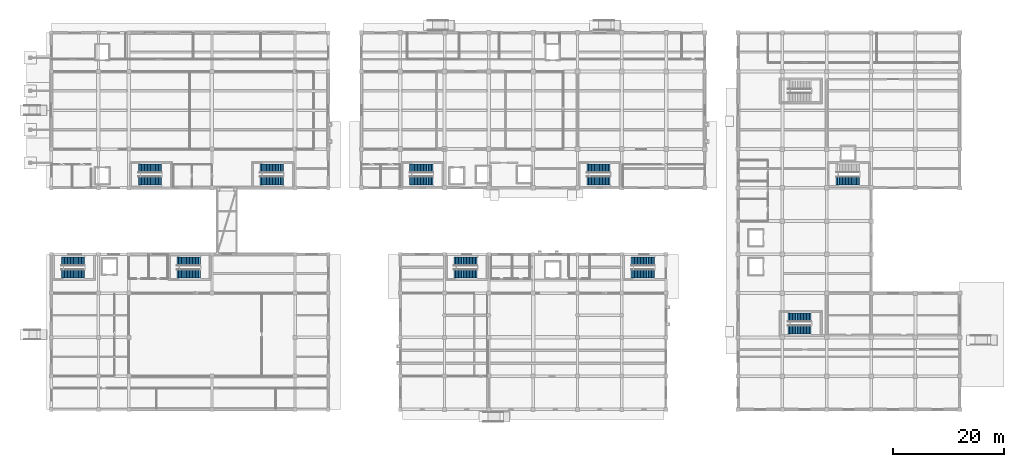
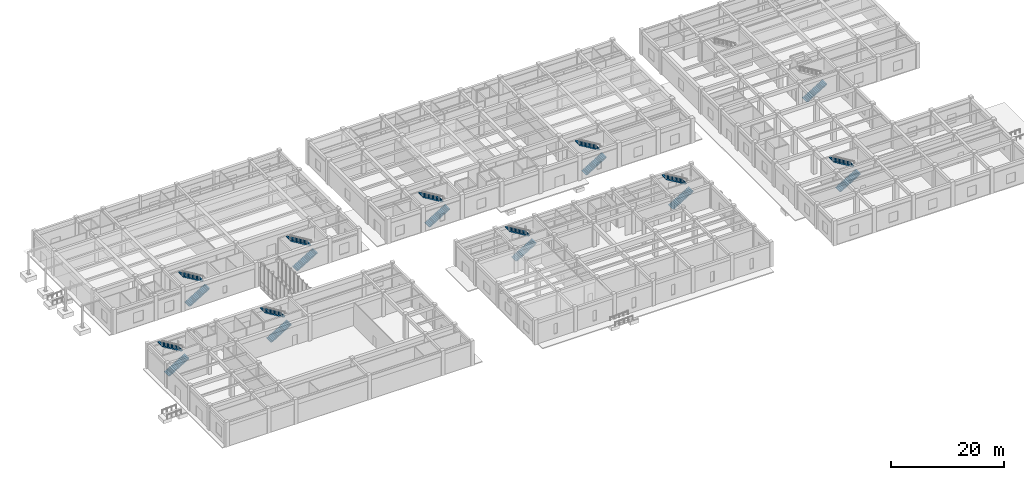
# One storey, part 30 of 40: 19 stair flights, 10 elements without a shape of their own.
"""IFC4 building model written with IfcOpenShell, lengths in metres."""

from ifc_helpers import new_model, si_unit, direction, frame, origin, place, context, subcontext, project, spatial, polyline, outline, extrude, material, type_object, element, aggregate, save


model = new_model("IFC4")

# Units and contexts
model_context = context("Model", 3, precision=1e-05, world=origin(), true_north=direction((0.0, 1.0)))
body_context = subcontext(model_context, "Body", "Model", "MODEL_VIEW")
ifc_project = project(units=[si_unit("LENGTHUNIT", "METRE"), si_unit("AREAUNIT", "SQUARE_METRE"), si_unit("VOLUMEUNIT", "CUBIC_METRE"), si_unit("PLANEANGLEUNIT", "RADIAN"), si_unit("MASSUNIT", "GRAM", prefix="KILO")], contexts=[model_context])

# Site, building, storey
site_placement = place(None, origin())
site = spatial("IfcSite", under=ifc_project, at=site_placement, CompositionType="ELEMENT")
building_placement = place(site_placement, origin())
building = spatial("IfcBuilding", under=site, at=building_placement, Name="Naurynzar Civic Courthouse", CompositionType="ELEMENT")
storey_placement = place(building_placement, origin())
storey = spatial("IfcBuildingStorey", under=building, at=storey_placement, Name="L01", CompositionType="ELEMENT", Elevation=0.0)

# Stair, stair flight
ifc_material_1 = material(Name="Concrete C35/45", Category="concrete")
stair_type_1 = type_object("IfcStairType", Name="STAIR-CUS-1550", PredefinedType="TWO_STRAIGHT_RUN_STAIR", material=ifc_material_1)
stair_1_placement = place(storey_placement, origin())
stair_1 = element("IfcStair", 1, at=stair_1_placement, inside=storey, type_object=stair_type_1, Name="Enclosed escape stair ST-CUS L01", PredefinedType="TWO_STRAIGHT_RUN_STAIR")
ifc_material_2 = material(Name="Concrete C35/45", Category="concrete")
stair_flight_type_1 = type_object("IfcStairFlightType", Name="FLIGHT-RC-1550", PredefinedType="STRAIGHT", material=ifc_material_2)
stair_flight_1_placement = place(storey_placement, frame((147.699951171875, 45.2548828125, 0.0), z_axis=(0.0, 0.0, 1.0), x_axis=(1.0, 0.0, 0.0)))
stair_flight_1 = element("IfcStairFlight", 2, at=stair_flight_1_placement, type_object=stair_flight_type_1, Name="ST-CUS-L01 flight 1", NumberOfRisers=16, NumberOfTreads=15, PredefinedType="STRAIGHT", RiserHeight=0.16875, TreadLength=0.28, context=body_context, shape_type="SweptSolid", body=[
    extrude(outline(polyline([(0.0, 0.0), (0.0, 0.168701171875), (0.280029296875, 0.168701171875), (0.280029296875, 0.33740234375), (0.56005859375, 0.33740234375), (0.56005859375, 0.50634765625), (0.840087890625, 0.50634765625), (0.840087890625, 0.675048828125), (1.1201171875, 0.675048828125), (1.1201171875, 0.84375), (1.39990234375, 0.84375), (1.39990234375, 1.012451171875), (1.679931640625, 1.012451171875), (1.679931640625, 1.18115234375), (1.9599609375, 1.18115234375), (1.9599609375, 1.35009765625), (2.239990234375, 1.35009765625), (2.239990234375, 1.518798828125), (2.52001953125, 1.518798828125), (2.52001953125, 1.6875), (2.800048828125, 1.6875), (2.800048828125, 1.856201171875), (3.080078125, 1.856201171875), (3.080078125, 2.02490234375), (3.360107421875, 2.02490234375), (3.360107421875, 2.19384765625), (3.639892578125, 2.19384765625), (3.639892578125, 2.362548828125), (3.919921875, 2.362548828125), (3.919921875, 2.53125), (4.199951171875, 2.53125), (4.199951171875, 2.699951171875), (4.199951171875, 2.3212890625), (0.3486328125, 0.0), (0.0, 0.0)])), frame((0.0, 0.77490234375, 0.0), z_axis=(0.0, -1.0, 0.0), x_axis=(1.0, 0.0, 0.0)), (0.0, 0.0, 1.0), 1.550048828125),
])
aggregate(stair_1, [stair_flight_1])

# Stair, stair flights
ifc_material_3 = material(Name="Concrete C35/45", Category="concrete")
stair_type_2 = type_object("IfcStairType", Name="STAIR-CORE-1600", PredefinedType="TWO_STRAIGHT_RUN_STAIR", material=ifc_material_3)
stair_2_placement = place(storey_placement, origin())
stair_2 = element("IfcStair", 3, at=stair_2_placement, inside=storey, type_object=stair_type_2, Name="Enclosed escape stair ST-V1A L01", PredefinedType="TWO_STRAIGHT_RUN_STAIR")
ifc_material_4 = material(Name="Concrete C35/45", Category="concrete")
stair_flight_type_2 = type_object("IfcStairFlightType", Name="FLIGHT-RC-1600", PredefinedType="STRAIGHT", material=ifc_material_4)
stair_flight_2_placement = place(storey_placement, frame((21.699951171875, 45.280029296875, 0.0), z_axis=(0.0, 0.0, 1.0), x_axis=(1.0, 0.0, 0.0)))
stair_flight_2 = element("IfcStairFlight", 4, at=stair_flight_2_placement, type_object=stair_flight_type_2, Name="ST-V1A-L01 flight 1", NumberOfRisers=16, NumberOfTreads=15, PredefinedType="STRAIGHT", RiserHeight=0.16875, TreadLength=0.28, context=body_context, shape_type="SweptSolid", body=[
    extrude(outline(polyline([(0.0, 0.0), (0.0, 0.168701171875), (0.280029296875, 0.168701171875), (0.280029296875, 0.33740234375), (0.56005859375, 0.33740234375), (0.56005859375, 0.50634765625), (0.840087890625, 0.50634765625), (0.840087890625, 0.675048828125), (1.1201171875, 0.675048828125), (1.1201171875, 0.84375), (1.39990234375, 0.84375), (1.39990234375, 1.012451171875), (1.679931640625, 1.012451171875), (1.679931640625, 1.18115234375), (1.9599609375, 1.18115234375), (1.9599609375, 1.35009765625), (2.239990234375, 1.35009765625), (2.239990234375, 1.518798828125), (2.52001953125, 1.518798828125), (2.52001953125, 1.6875), (2.800048828125, 1.6875), (2.800048828125, 1.856201171875), (3.080078125, 1.856201171875), (3.080078125, 2.02490234375), (3.360107421875, 2.02490234375), (3.360107421875, 2.19384765625), (3.639892578125, 2.19384765625), (3.639892578125, 2.362548828125), (3.919921875, 2.362548828125), (3.919921875, 2.53125), (4.199951171875, 2.53125), (4.199951171875, 2.699951171875), (4.199951171875, 2.3212890625), (0.3486328125, 0.0), (0.0, 0.0)])), frame((0.0, 0.800048828125, 0.0), z_axis=(0.0, -1.0, 0.0), x_axis=(1.0, 0.0, 0.0)), (0.0, 0.0, 1.0), 1.60009765625),
])
stair_flight_3_placement = place(storey_placement, frame((25.89990234375, 47.52001953125, 2.699951171875), z_axis=(0.0, 0.0, 1.0), x_axis=(-1.0, 0.0, 0.0)))
stair_flight_3 = element("IfcStairFlight", 5, at=stair_flight_3_placement, type_object=stair_flight_type_2, Name="ST-V1A-L01 flight 2", NumberOfRisers=16, NumberOfTreads=15, PredefinedType="STRAIGHT", RiserHeight=0.16875, TreadLength=0.28, context=body_context, shape_type="SweptSolid", body=[
    extrude(outline(polyline([(0.0, 0.0), (0.0, 0.168701171875), (0.280029296875, 0.168701171875), (0.280029296875, 0.33740234375), (0.56005859375, 0.33740234375), (0.56005859375, 0.50634765625), (0.840087890625, 0.50634765625), (0.840087890625, 0.675048828125), (1.1201171875, 0.675048828125), (1.1201171875, 0.84375), (1.39990234375, 0.84375), (1.39990234375, 1.012451171875), (1.679931640625, 1.012451171875), (1.679931640625, 1.18115234375), (1.9599609375, 1.18115234375), (1.9599609375, 1.35009765625), (2.239990234375, 1.35009765625), (2.239990234375, 1.518798828125), (2.52001953125, 1.518798828125), (2.52001953125, 1.6875), (2.800048828125, 1.6875), (2.800048828125, 1.856201171875), (3.080078125, 1.856201171875), (3.080078125, 2.02490234375), (3.360107421875, 2.02490234375), (3.360107421875, 2.19384765625), (3.639892578125, 2.19384765625), (3.639892578125, 2.362548828125), (3.919921875, 2.362548828125), (3.919921875, 2.53125), (4.199951171875, 2.53125), (4.199951171875, 2.699951171875), (4.199951171875, 2.3212890625), (0.3486328125, 0.0), (0.0, 0.0)])), frame((0.0, 0.800048828125, 0.0), z_axis=(0.0, -1.0, 0.0), x_axis=(1.0, 0.0, 0.0)), (0.0, 0.0, 1.0), 1.60009765625),
])
aggregate(stair_2, [stair_flight_2, stair_flight_3])

stair_3_placement = place(storey_placement, origin())
stair_3 = element("IfcStair", 6, at=stair_3_placement, inside=storey, type_object=stair_type_2, Name="Enclosed escape stair ST-V1B L01", PredefinedType="TWO_STRAIGHT_RUN_STAIR")
stair_flight_4_placement = place(storey_placement, frame((43.699951171875, 45.280029296875, 0.0), z_axis=(0.0, 0.0, 1.0), x_axis=(1.0, 0.0, 0.0)))
stair_flight_4 = element("IfcStairFlight", 7, at=stair_flight_4_placement, type_object=stair_flight_type_2, Name="ST-V1B-L01 flight 1", NumberOfRisers=16, NumberOfTreads=15, PredefinedType="STRAIGHT", RiserHeight=0.16875, TreadLength=0.28, context=body_context, shape_type="SweptSolid", body=[
    extrude(outline(polyline([(0.0, 0.0), (0.0, 0.168701171875), (0.280029296875, 0.168701171875), (0.280029296875, 0.33740234375), (0.56005859375, 0.33740234375), (0.56005859375, 0.50634765625), (0.840087890625, 0.50634765625), (0.840087890625, 0.675048828125), (1.1201171875, 0.675048828125), (1.1201171875, 0.84375), (1.39990234375, 0.84375), (1.39990234375, 1.012451171875), (1.679931640625, 1.012451171875), (1.679931640625, 1.18115234375), (1.9599609375, 1.18115234375), (1.9599609375, 1.35009765625), (2.239990234375, 1.35009765625), (2.239990234375, 1.518798828125), (2.52001953125, 1.518798828125), (2.52001953125, 1.6875), (2.800048828125, 1.6875), (2.800048828125, 1.856201171875), (3.080078125, 1.856201171875), (3.080078125, 2.02490234375), (3.360107421875, 2.02490234375), (3.360107421875, 2.19384765625), (3.639892578125, 2.19384765625), (3.639892578125, 2.362548828125), (3.919921875, 2.362548828125), (3.919921875, 2.53125), (4.199951171875, 2.53125), (4.199951171875, 2.699951171875), (4.199951171875, 2.3212890625), (0.3486328125, 0.0), (0.0, 0.0)])), frame((0.0, 0.800048828125, 0.0), z_axis=(0.0, -1.0, 0.0), x_axis=(1.0, 0.0, 0.0)), (0.0, 0.0, 1.0), 1.60009765625),
])
stair_flight_5_placement = place(storey_placement, frame((47.89990234375, 47.52001953125, 2.699951171875), z_axis=(0.0, 0.0, 1.0), x_axis=(-1.0, 0.0, 0.0)))
stair_flight_5 = element("IfcStairFlight", 8, at=stair_flight_5_placement, type_object=stair_flight_type_2, Name="ST-V1B-L01 flight 2", NumberOfRisers=16, NumberOfTreads=15, PredefinedType="STRAIGHT", RiserHeight=0.16875, TreadLength=0.28, context=body_context, shape_type="SweptSolid", body=[
    extrude(outline(polyline([(0.0, 0.0), (0.0, 0.168701171875), (0.280029296875, 0.168701171875), (0.280029296875, 0.33740234375), (0.56005859375, 0.33740234375), (0.56005859375, 0.50634765625), (0.840087890625, 0.50634765625), (0.840087890625, 0.675048828125), (1.1201171875, 0.675048828125), (1.1201171875, 0.84375), (1.39990234375, 0.84375), (1.39990234375, 1.012451171875), (1.679931640625, 1.012451171875), (1.679931640625, 1.18115234375), (1.9599609375, 1.18115234375), (1.9599609375, 1.35009765625), (2.239990234375, 1.35009765625), (2.239990234375, 1.518798828125), (2.52001953125, 1.518798828125), (2.52001953125, 1.6875), (2.800048828125, 1.6875), (2.800048828125, 1.856201171875), (3.080078125, 1.856201171875), (3.080078125, 2.02490234375), (3.360107421875, 2.02490234375), (3.360107421875, 2.19384765625), (3.639892578125, 2.19384765625), (3.639892578125, 2.362548828125), (3.919921875, 2.362548828125), (3.919921875, 2.53125), (4.199951171875, 2.53125), (4.199951171875, 2.699951171875), (4.199951171875, 2.3212890625), (0.3486328125, 0.0), (0.0, 0.0)])), frame((0.0, 0.800048828125, 0.0), z_axis=(0.0, -1.0, 0.0), x_axis=(1.0, 0.0, 0.0)), (0.0, 0.0, 1.0), 1.60009765625),
])
aggregate(stair_3, [stair_flight_4, stair_flight_5])

stair_4_placement = place(storey_placement, origin())
stair_4 = element("IfcStair", 9, at=stair_4_placement, inside=storey, type_object=stair_type_2, Name="Enclosed escape stair ST-V4A L01", PredefinedType="TWO_STRAIGHT_RUN_STAIR")
stair_flight_6_placement = place(storey_placement, frame((7.800048828125, 28.47998046875, 0.0), z_axis=(0.0, 0.0, 1.0), x_axis=(1.0, 0.0, 0.0)))
stair_flight_6 = element("IfcStairFlight", 10, at=stair_flight_6_placement, type_object=stair_flight_type_2, Name="ST-V4A-L01 flight 1", NumberOfRisers=16, NumberOfTreads=15, PredefinedType="STRAIGHT", RiserHeight=0.16875, TreadLength=0.28, context=body_context, shape_type="SweptSolid", body=[
    extrude(outline(polyline([(0.0, 0.0), (0.0, 0.168701171875), (0.280029296875, 0.168701171875), (0.280029296875, 0.33740234375), (0.56005859375, 0.33740234375), (0.56005859375, 0.50634765625), (0.840087890625, 0.50634765625), (0.840087890625, 0.675048828125), (1.1201171875, 0.675048828125), (1.1201171875, 0.84375), (1.39990234375, 0.84375), (1.39990234375, 1.012451171875), (1.679931640625, 1.012451171875), (1.679931640625, 1.18115234375), (1.9599609375, 1.18115234375), (1.9599609375, 1.35009765625), (2.239990234375, 1.35009765625), (2.239990234375, 1.518798828125), (2.52001953125, 1.518798828125), (2.52001953125, 1.6875), (2.800048828125, 1.6875), (2.800048828125, 1.856201171875), (3.080078125, 1.856201171875), (3.080078125, 2.02490234375), (3.360107421875, 2.02490234375), (3.360107421875, 2.19384765625), (3.639892578125, 2.19384765625), (3.639892578125, 2.362548828125), (3.919921875, 2.362548828125), (3.919921875, 2.53125), (4.199951171875, 2.53125), (4.199951171875, 2.699951171875), (4.199951171875, 2.3212890625), (0.3486328125, 0.0), (0.0, 0.0)])), frame((0.0, 0.800048828125, 0.0), z_axis=(0.0, -1.0, 0.0), x_axis=(1.0, 0.0, 0.0)), (0.0, 0.0, 1.0), 1.60009765625),
])
stair_flight_7_placement = place(storey_placement, frame((12.0, 30.719970703125, 2.699951171875), z_axis=(0.0, 0.0, 1.0), x_axis=(-1.0, 0.0, 0.0)))
stair_flight_7 = element("IfcStairFlight", 11, at=stair_flight_7_placement, type_object=stair_flight_type_2, Name="ST-V4A-L01 flight 2", NumberOfRisers=16, NumberOfTreads=15, PredefinedType="STRAIGHT", RiserHeight=0.16875, TreadLength=0.28, context=body_context, shape_type="SweptSolid", body=[
    extrude(outline(polyline([(0.0, 0.0), (0.0, 0.168701171875), (0.280029296875, 0.168701171875), (0.280029296875, 0.33740234375), (0.56005859375, 0.33740234375), (0.56005859375, 0.50634765625), (0.840087890625, 0.50634765625), (0.840087890625, 0.675048828125), (1.1201171875, 0.675048828125), (1.1201171875, 0.84375), (1.39990234375, 0.84375), (1.39990234375, 1.012451171875), (1.679931640625, 1.012451171875), (1.679931640625, 1.18115234375), (1.9599609375, 1.18115234375), (1.9599609375, 1.35009765625), (2.239990234375, 1.35009765625), (2.239990234375, 1.518798828125), (2.52001953125, 1.518798828125), (2.52001953125, 1.6875), (2.800048828125, 1.6875), (2.800048828125, 1.856201171875), (3.080078125, 1.856201171875), (3.080078125, 2.02490234375), (3.360107421875, 2.02490234375), (3.360107421875, 2.19384765625), (3.639892578125, 2.19384765625), (3.639892578125, 2.362548828125), (3.919921875, 2.362548828125), (3.919921875, 2.53125), (4.199951171875, 2.53125), (4.199951171875, 2.699951171875), (4.199951171875, 2.3212890625), (0.3486328125, 0.0), (0.0, 0.0)])), frame((0.0, 0.800048828125, 0.0), z_axis=(0.0, -1.0, 0.0), x_axis=(1.0, 0.0, 0.0)), (0.0, 0.0, 1.0), 1.60009765625),
])
aggregate(stair_4, [stair_flight_6, stair_flight_7])

stair_5_placement = place(storey_placement, origin())
stair_5 = element("IfcStair", 12, at=stair_5_placement, inside=storey, type_object=stair_type_2, Name="Enclosed escape stair ST-V4B L01", PredefinedType="TWO_STRAIGHT_RUN_STAIR")
stair_flight_8_placement = place(storey_placement, frame((28.699951171875, 28.47998046875, 0.0), z_axis=(0.0, 0.0, 1.0), x_axis=(1.0, 0.0, 0.0)))
stair_flight_8 = element("IfcStairFlight", 13, at=stair_flight_8_placement, type_object=stair_flight_type_2, Name="ST-V4B-L01 flight 1", NumberOfRisers=16, NumberOfTreads=15, PredefinedType="STRAIGHT", RiserHeight=0.16875, TreadLength=0.28, context=body_context, shape_type="SweptSolid", body=[
    extrude(outline(polyline([(0.0, 0.0), (0.0, 0.168701171875), (0.280029296875, 0.168701171875), (0.280029296875, 0.33740234375), (0.56005859375, 0.33740234375), (0.56005859375, 0.50634765625), (0.840087890625, 0.50634765625), (0.840087890625, 0.675048828125), (1.1201171875, 0.675048828125), (1.1201171875, 0.84375), (1.39990234375, 0.84375), (1.39990234375, 1.012451171875), (1.679931640625, 1.012451171875), (1.679931640625, 1.18115234375), (1.9599609375, 1.18115234375), (1.9599609375, 1.35009765625), (2.239990234375, 1.35009765625), (2.239990234375, 1.518798828125), (2.52001953125, 1.518798828125), (2.52001953125, 1.6875), (2.800048828125, 1.6875), (2.800048828125, 1.856201171875), (3.080078125, 1.856201171875), (3.080078125, 2.02490234375), (3.360107421875, 2.02490234375), (3.360107421875, 2.19384765625), (3.639892578125, 2.19384765625), (3.639892578125, 2.362548828125), (3.919921875, 2.362548828125), (3.919921875, 2.53125), (4.199951171875, 2.53125), (4.199951171875, 2.699951171875), (4.199951171875, 2.3212890625), (0.3486328125, 0.0), (0.0, 0.0)])), frame((0.0, 0.800048828125, 0.0), z_axis=(0.0, -1.0, 0.0), x_axis=(1.0, 0.0, 0.0)), (0.0, 0.0, 1.0), 1.60009765625),
])
stair_flight_9_placement = place(storey_placement, frame((32.89990234375, 30.719970703125, 2.699951171875), z_axis=(0.0, 0.0, 1.0), x_axis=(-1.0, 0.0, 0.0)))
stair_flight_9 = element("IfcStairFlight", 14, at=stair_flight_9_placement, type_object=stair_flight_type_2, Name="ST-V4B-L01 flight 2", NumberOfRisers=16, NumberOfTreads=15, PredefinedType="STRAIGHT", RiserHeight=0.16875, TreadLength=0.28, context=body_context, shape_type="SweptSolid", body=[
    extrude(outline(polyline([(0.0, 0.0), (0.0, 0.168701171875), (0.280029296875, 0.168701171875), (0.280029296875, 0.33740234375), (0.56005859375, 0.33740234375), (0.56005859375, 0.50634765625), (0.840087890625, 0.50634765625), (0.840087890625, 0.675048828125), (1.1201171875, 0.675048828125), (1.1201171875, 0.84375), (1.39990234375, 0.84375), (1.39990234375, 1.012451171875), (1.679931640625, 1.012451171875), (1.679931640625, 1.18115234375), (1.9599609375, 1.18115234375), (1.9599609375, 1.35009765625), (2.239990234375, 1.35009765625), (2.239990234375, 1.518798828125), (2.52001953125, 1.518798828125), (2.52001953125, 1.6875), (2.800048828125, 1.6875), (2.800048828125, 1.856201171875), (3.080078125, 1.856201171875), (3.080078125, 2.02490234375), (3.360107421875, 2.02490234375), (3.360107421875, 2.19384765625), (3.639892578125, 2.19384765625), (3.639892578125, 2.362548828125), (3.919921875, 2.362548828125), (3.919921875, 2.53125), (4.199951171875, 2.53125), (4.199951171875, 2.699951171875), (4.199951171875, 2.3212890625), (0.3486328125, 0.0), (0.0, 0.0)])), frame((0.0, 0.800048828125, 0.0), z_axis=(0.0, -1.0, 0.0), x_axis=(1.0, 0.0, 0.0)), (0.0, 0.0, 1.0), 1.60009765625),
])
aggregate(stair_5, [stair_flight_8, stair_flight_9])

stair_6_placement = place(storey_placement, origin())
stair_6 = element("IfcStair", 15, at=stair_6_placement, inside=storey, type_object=stair_type_2, Name="Enclosed escape stair ST-V2A L01", PredefinedType="TWO_STRAIGHT_RUN_STAIR")
stair_flight_10_placement = place(storey_placement, frame((70.699951171875, 45.280029296875, 0.0), z_axis=(0.0, 0.0, 1.0), x_axis=(1.0, 0.0, 0.0)))
stair_flight_10 = element("IfcStairFlight", 16, at=stair_flight_10_placement, type_object=stair_flight_type_2, Name="ST-V2A-L01 flight 1", NumberOfRisers=16, NumberOfTreads=15, PredefinedType="STRAIGHT", RiserHeight=0.16875, TreadLength=0.28, context=body_context, shape_type="SweptSolid", body=[
    extrude(outline(polyline([(0.0, 0.0), (0.0, 0.168701171875), (0.280029296875, 0.168701171875), (0.280029296875, 0.33740234375), (0.56005859375, 0.33740234375), (0.56005859375, 0.50634765625), (0.840087890625, 0.50634765625), (0.840087890625, 0.675048828125), (1.1201171875, 0.675048828125), (1.1201171875, 0.84375), (1.39990234375, 0.84375), (1.39990234375, 1.012451171875), (1.679931640625, 1.012451171875), (1.679931640625, 1.18115234375), (1.9599609375, 1.18115234375), (1.9599609375, 1.35009765625), (2.239990234375, 1.35009765625), (2.239990234375, 1.518798828125), (2.52001953125, 1.518798828125), (2.52001953125, 1.6875), (2.800048828125, 1.6875), (2.800048828125, 1.856201171875), (3.080078125, 1.856201171875), (3.080078125, 2.02490234375), (3.360107421875, 2.02490234375), (3.360107421875, 2.19384765625), (3.639892578125, 2.19384765625), (3.639892578125, 2.362548828125), (3.919921875, 2.362548828125), (3.919921875, 2.53125), (4.199951171875, 2.53125), (4.199951171875, 2.699951171875), (4.199951171875, 2.3212890625), (0.3486328125, 0.0), (0.0, 0.0)])), frame((0.0, 0.800048828125, 0.0), z_axis=(0.0, -1.0, 0.0), x_axis=(1.0, 0.0, 0.0)), (0.0, 0.0, 1.0), 1.60009765625),
])
stair_flight_11_placement = place(storey_placement, frame((74.89990234375, 47.52001953125, 2.699951171875), z_axis=(0.0, 0.0, 1.0), x_axis=(-1.0, 0.0, 0.0)))
stair_flight_11 = element("IfcStairFlight", 17, at=stair_flight_11_placement, type_object=stair_flight_type_2, Name="ST-V2A-L01 flight 2", NumberOfRisers=16, NumberOfTreads=15, PredefinedType="STRAIGHT", RiserHeight=0.16875, TreadLength=0.28, context=body_context, shape_type="SweptSolid", body=[
    extrude(outline(polyline([(0.0, 0.0), (0.0, 0.168701171875), (0.280029296875, 0.168701171875), (0.280029296875, 0.33740234375), (0.56005859375, 0.33740234375), (0.56005859375, 0.50634765625), (0.840087890625, 0.50634765625), (0.840087890625, 0.675048828125), (1.1201171875, 0.675048828125), (1.1201171875, 0.84375), (1.39990234375, 0.84375), (1.39990234375, 1.012451171875), (1.679931640625, 1.012451171875), (1.679931640625, 1.18115234375), (1.9599609375, 1.18115234375), (1.9599609375, 1.35009765625), (2.239990234375, 1.35009765625), (2.239990234375, 1.518798828125), (2.52001953125, 1.518798828125), (2.52001953125, 1.6875), (2.800048828125, 1.6875), (2.800048828125, 1.856201171875), (3.080078125, 1.856201171875), (3.080078125, 2.02490234375), (3.360107421875, 2.02490234375), (3.360107421875, 2.19384765625), (3.639892578125, 2.19384765625), (3.639892578125, 2.362548828125), (3.919921875, 2.362548828125), (3.919921875, 2.53125), (4.199951171875, 2.53125), (4.199951171875, 2.699951171875), (4.199951171875, 2.3212890625), (0.3486328125, 0.0), (0.0, 0.0)])), frame((0.0, 0.800048828125, 0.0), z_axis=(0.0, -1.0, 0.0), x_axis=(1.0, 0.0, 0.0)), (0.0, 0.0, 1.0), 1.60009765625),
])
aggregate(stair_6, [stair_flight_10, stair_flight_11])

stair_7_placement = place(storey_placement, origin())
stair_7 = element("IfcStair", 18, at=stair_7_placement, inside=storey, type_object=stair_type_2, Name="Enclosed escape stair ST-V2B L01", PredefinedType="TWO_STRAIGHT_RUN_STAIR")
stair_flight_12_placement = place(storey_placement, frame((102.699951171875, 45.280029296875, 0.0), z_axis=(0.0, 0.0, 1.0), x_axis=(1.0, 0.0, 0.0)))
stair_flight_12 = element("IfcStairFlight", 19, at=stair_flight_12_placement, type_object=stair_flight_type_2, Name="ST-V2B-L01 flight 1", NumberOfRisers=16, NumberOfTreads=15, PredefinedType="STRAIGHT", RiserHeight=0.16875, TreadLength=0.28, context=body_context, shape_type="SweptSolid", body=[
    extrude(outline(polyline([(0.0, 0.0), (0.0, 0.168701171875), (0.280029296875, 0.168701171875), (0.280029296875, 0.33740234375), (0.56005859375, 0.33740234375), (0.56005859375, 0.50634765625), (0.840087890625, 0.50634765625), (0.840087890625, 0.675048828125), (1.1201171875, 0.675048828125), (1.1201171875, 0.84375), (1.39990234375, 0.84375), (1.39990234375, 1.012451171875), (1.679931640625, 1.012451171875), (1.679931640625, 1.18115234375), (1.9599609375, 1.18115234375), (1.9599609375, 1.35009765625), (2.239990234375, 1.35009765625), (2.239990234375, 1.518798828125), (2.52001953125, 1.518798828125), (2.52001953125, 1.6875), (2.800048828125, 1.6875), (2.800048828125, 1.856201171875), (3.080078125, 1.856201171875), (3.080078125, 2.02490234375), (3.360107421875, 2.02490234375), (3.360107421875, 2.19384765625), (3.639892578125, 2.19384765625), (3.639892578125, 2.362548828125), (3.919921875, 2.362548828125), (3.919921875, 2.53125), (4.199951171875, 2.53125), (4.199951171875, 2.699951171875), (4.199951171875, 2.3212890625), (0.3486328125, 0.0), (0.0, 0.0)])), frame((0.0, 0.800048828125, 0.0), z_axis=(0.0, -1.0, 0.0), x_axis=(1.0, 0.0, 0.0)), (0.0, 0.0, 1.0), 1.60009765625),
])
stair_flight_13_placement = place(storey_placement, frame((106.89990234375, 47.52001953125, 2.699951171875), z_axis=(0.0, 0.0, 1.0), x_axis=(-1.0, 0.0, 0.0)))
stair_flight_13 = element("IfcStairFlight", 20, at=stair_flight_13_placement, type_object=stair_flight_type_2, Name="ST-V2B-L01 flight 2", NumberOfRisers=16, NumberOfTreads=15, PredefinedType="STRAIGHT", RiserHeight=0.16875, TreadLength=0.28, context=body_context, shape_type="SweptSolid", body=[
    extrude(outline(polyline([(0.0, 0.0), (0.0, 0.168701171875), (0.280029296875, 0.168701171875), (0.280029296875, 0.33740234375), (0.56005859375, 0.33740234375), (0.56005859375, 0.50634765625), (0.840087890625, 0.50634765625), (0.840087890625, 0.675048828125), (1.1201171875, 0.675048828125), (1.1201171875, 0.84375), (1.39990234375, 0.84375), (1.39990234375, 1.012451171875), (1.679931640625, 1.012451171875), (1.679931640625, 1.18115234375), (1.9599609375, 1.18115234375), (1.9599609375, 1.35009765625), (2.239990234375, 1.35009765625), (2.239990234375, 1.518798828125), (2.52001953125, 1.518798828125), (2.52001953125, 1.6875), (2.800048828125, 1.6875), (2.800048828125, 1.856201171875), (3.080078125, 1.856201171875), (3.080078125, 2.02490234375), (3.360107421875, 2.02490234375), (3.360107421875, 2.19384765625), (3.639892578125, 2.19384765625), (3.639892578125, 2.362548828125), (3.919921875, 2.362548828125), (3.919921875, 2.53125), (4.199951171875, 2.53125), (4.199951171875, 2.699951171875), (4.199951171875, 2.3212890625), (0.3486328125, 0.0), (0.0, 0.0)])), frame((0.0, 0.800048828125, 0.0), z_axis=(0.0, -1.0, 0.0), x_axis=(1.0, 0.0, 0.0)), (0.0, 0.0, 1.0), 1.60009765625),
])
aggregate(stair_7, [stair_flight_12, stair_flight_13])

stair_8_placement = place(storey_placement, origin())
stair_8 = element("IfcStair", 21, at=stair_8_placement, inside=storey, type_object=stair_type_2, Name="Enclosed escape stair ST-V3A L01", PredefinedType="TWO_STRAIGHT_RUN_STAIR")
stair_flight_14_placement = place(storey_placement, frame((78.699951171875, 28.47998046875, 0.0), z_axis=(0.0, 0.0, 1.0), x_axis=(1.0, 0.0, 0.0)))
stair_flight_14 = element("IfcStairFlight", 22, at=stair_flight_14_placement, type_object=stair_flight_type_2, Name="ST-V3A-L01 flight 1", NumberOfRisers=16, NumberOfTreads=15, PredefinedType="STRAIGHT", RiserHeight=0.16875, TreadLength=0.28, context=body_context, shape_type="SweptSolid", body=[
    extrude(outline(polyline([(0.0, 0.0), (0.0, 0.168701171875), (0.280029296875, 0.168701171875), (0.280029296875, 0.33740234375), (0.56005859375, 0.33740234375), (0.56005859375, 0.50634765625), (0.840087890625, 0.50634765625), (0.840087890625, 0.675048828125), (1.1201171875, 0.675048828125), (1.1201171875, 0.84375), (1.39990234375, 0.84375), (1.39990234375, 1.012451171875), (1.679931640625, 1.012451171875), (1.679931640625, 1.18115234375), (1.9599609375, 1.18115234375), (1.9599609375, 1.35009765625), (2.239990234375, 1.35009765625), (2.239990234375, 1.518798828125), (2.52001953125, 1.518798828125), (2.52001953125, 1.6875), (2.800048828125, 1.6875), (2.800048828125, 1.856201171875), (3.080078125, 1.856201171875), (3.080078125, 2.02490234375), (3.360107421875, 2.02490234375), (3.360107421875, 2.19384765625), (3.639892578125, 2.19384765625), (3.639892578125, 2.362548828125), (3.919921875, 2.362548828125), (3.919921875, 2.53125), (4.199951171875, 2.53125), (4.199951171875, 2.699951171875), (4.199951171875, 2.3212890625), (0.3486328125, 0.0), (0.0, 0.0)])), frame((0.0, 0.800048828125, 0.0), z_axis=(0.0, -1.0, 0.0), x_axis=(1.0, 0.0, 0.0)), (0.0, 0.0, 1.0), 1.60009765625),
])
stair_flight_15_placement = place(storey_placement, frame((82.89990234375, 30.719970703125, 2.699951171875), z_axis=(0.0, 0.0, 1.0), x_axis=(-1.0, 0.0, 0.0)))
stair_flight_15 = element("IfcStairFlight", 23, at=stair_flight_15_placement, type_object=stair_flight_type_2, Name="ST-V3A-L01 flight 2", NumberOfRisers=16, NumberOfTreads=15, PredefinedType="STRAIGHT", RiserHeight=0.16875, TreadLength=0.28, context=body_context, shape_type="SweptSolid", body=[
    extrude(outline(polyline([(0.0, 0.0), (0.0, 0.168701171875), (0.280029296875, 0.168701171875), (0.280029296875, 0.33740234375), (0.56005859375, 0.33740234375), (0.56005859375, 0.50634765625), (0.840087890625, 0.50634765625), (0.840087890625, 0.675048828125), (1.1201171875, 0.675048828125), (1.1201171875, 0.84375), (1.39990234375, 0.84375), (1.39990234375, 1.012451171875), (1.679931640625, 1.012451171875), (1.679931640625, 1.18115234375), (1.9599609375, 1.18115234375), (1.9599609375, 1.35009765625), (2.239990234375, 1.35009765625), (2.239990234375, 1.518798828125), (2.52001953125, 1.518798828125), (2.52001953125, 1.6875), (2.800048828125, 1.6875), (2.800048828125, 1.856201171875), (3.080078125, 1.856201171875), (3.080078125, 2.02490234375), (3.360107421875, 2.02490234375), (3.360107421875, 2.19384765625), (3.639892578125, 2.19384765625), (3.639892578125, 2.362548828125), (3.919921875, 2.362548828125), (3.919921875, 2.53125), (4.199951171875, 2.53125), (4.199951171875, 2.699951171875), (4.199951171875, 2.3212890625), (0.3486328125, 0.0), (0.0, 0.0)])), frame((0.0, 0.800048828125, 0.0), z_axis=(0.0, -1.0, 0.0), x_axis=(1.0, 0.0, 0.0)), (0.0, 0.0, 1.0), 1.60009765625),
])
aggregate(stair_8, [stair_flight_14, stair_flight_15])

stair_9_placement = place(storey_placement, origin())
stair_9 = element("IfcStair", 24, at=stair_9_placement, inside=storey, type_object=stair_type_2, Name="Enclosed escape stair ST-V3B L01", PredefinedType="TWO_STRAIGHT_RUN_STAIR")
stair_flight_16_placement = place(storey_placement, frame((110.699951171875, 28.47998046875, 0.0), z_axis=(0.0, 0.0, 1.0), x_axis=(1.0, 0.0, 0.0)))
stair_flight_16 = element("IfcStairFlight", 25, at=stair_flight_16_placement, type_object=stair_flight_type_2, Name="ST-V3B-L01 flight 1", NumberOfRisers=16, NumberOfTreads=15, PredefinedType="STRAIGHT", RiserHeight=0.16875, TreadLength=0.28, context=body_context, shape_type="SweptSolid", body=[
    extrude(outline(polyline([(0.0, 0.0), (0.0, 0.168701171875), (0.280029296875, 0.168701171875), (0.280029296875, 0.33740234375), (0.56005859375, 0.33740234375), (0.56005859375, 0.50634765625), (0.840087890625, 0.50634765625), (0.840087890625, 0.675048828125), (1.1201171875, 0.675048828125), (1.1201171875, 0.84375), (1.39990234375, 0.84375), (1.39990234375, 1.012451171875), (1.679931640625, 1.012451171875), (1.679931640625, 1.18115234375), (1.9599609375, 1.18115234375), (1.9599609375, 1.35009765625), (2.239990234375, 1.35009765625), (2.239990234375, 1.518798828125), (2.52001953125, 1.518798828125), (2.52001953125, 1.6875), (2.800048828125, 1.6875), (2.800048828125, 1.856201171875), (3.080078125, 1.856201171875), (3.080078125, 2.02490234375), (3.360107421875, 2.02490234375), (3.360107421875, 2.19384765625), (3.639892578125, 2.19384765625), (3.639892578125, 2.362548828125), (3.919921875, 2.362548828125), (3.919921875, 2.53125), (4.199951171875, 2.53125), (4.199951171875, 2.699951171875), (4.199951171875, 2.3212890625), (0.3486328125, 0.0), (0.0, 0.0)])), frame((0.0, 0.800048828125, 0.0), z_axis=(0.0, -1.0, 0.0), x_axis=(1.0, 0.0, 0.0)), (0.0, 0.0, 1.0), 1.60009765625),
])
stair_flight_17_placement = place(storey_placement, frame((114.89990234375, 30.719970703125, 2.699951171875), z_axis=(0.0, 0.0, 1.0), x_axis=(-1.0, 0.0, 0.0)))
stair_flight_17 = element("IfcStairFlight", 26, at=stair_flight_17_placement, type_object=stair_flight_type_2, Name="ST-V3B-L01 flight 2", NumberOfRisers=16, NumberOfTreads=15, PredefinedType="STRAIGHT", RiserHeight=0.16875, TreadLength=0.28, context=body_context, shape_type="SweptSolid", body=[
    extrude(outline(polyline([(0.0, 0.0), (0.0, 0.168701171875), (0.280029296875, 0.168701171875), (0.280029296875, 0.33740234375), (0.56005859375, 0.33740234375), (0.56005859375, 0.50634765625), (0.840087890625, 0.50634765625), (0.840087890625, 0.675048828125), (1.1201171875, 0.675048828125), (1.1201171875, 0.84375), (1.39990234375, 0.84375), (1.39990234375, 1.012451171875), (1.679931640625, 1.012451171875), (1.679931640625, 1.18115234375), (1.9599609375, 1.18115234375), (1.9599609375, 1.35009765625), (2.239990234375, 1.35009765625), (2.239990234375, 1.518798828125), (2.52001953125, 1.518798828125), (2.52001953125, 1.6875), (2.800048828125, 1.6875), (2.800048828125, 1.856201171875), (3.080078125, 1.856201171875), (3.080078125, 2.02490234375), (3.360107421875, 2.02490234375), (3.360107421875, 2.19384765625), (3.639892578125, 2.19384765625), (3.639892578125, 2.362548828125), (3.919921875, 2.362548828125), (3.919921875, 2.53125), (4.199951171875, 2.53125), (4.199951171875, 2.699951171875), (4.199951171875, 2.3212890625), (0.3486328125, 0.0), (0.0, 0.0)])), frame((0.0, 0.800048828125, 0.0), z_axis=(0.0, -1.0, 0.0), x_axis=(1.0, 0.0, 0.0)), (0.0, 0.0, 1.0), 1.60009765625),
])
aggregate(stair_9, [stair_flight_16, stair_flight_17])

stair_10_placement = place(storey_placement, origin())
stair_10 = element("IfcStair", 27, at=stair_10_placement, inside=storey, type_object=stair_type_2, Name="Enclosed escape stair ST-V5A L01", PredefinedType="TWO_STRAIGHT_RUN_STAIR")
stair_flight_18_placement = place(storey_placement, frame((139.0, 18.3798828125, 0.0), z_axis=(0.0, 0.0, 1.0), x_axis=(1.0, 0.0, 0.0)))
stair_flight_18 = element("IfcStairFlight", 28, at=stair_flight_18_placement, type_object=stair_flight_type_2, Name="ST-V5A-L01 flight 1", NumberOfRisers=16, NumberOfTreads=15, PredefinedType="STRAIGHT", RiserHeight=0.16875, TreadLength=0.28, context=body_context, shape_type="SweptSolid", body=[
    extrude(outline(polyline([(0.0, 0.0), (0.0, 0.168701171875), (0.280029296875, 0.168701171875), (0.280029296875, 0.33740234375), (0.56005859375, 0.33740234375), (0.56005859375, 0.50634765625), (0.840087890625, 0.50634765625), (0.840087890625, 0.675048828125), (1.1201171875, 0.675048828125), (1.1201171875, 0.84375), (1.39990234375, 0.84375), (1.39990234375, 1.012451171875), (1.679931640625, 1.012451171875), (1.679931640625, 1.18115234375), (1.9599609375, 1.18115234375), (1.9599609375, 1.35009765625), (2.239990234375, 1.35009765625), (2.239990234375, 1.518798828125), (2.52001953125, 1.518798828125), (2.52001953125, 1.6875), (2.800048828125, 1.6875), (2.800048828125, 1.856201171875), (3.080078125, 1.856201171875), (3.080078125, 2.02490234375), (3.360107421875, 2.02490234375), (3.360107421875, 2.19384765625), (3.639892578125, 2.19384765625), (3.639892578125, 2.362548828125), (3.919921875, 2.362548828125), (3.919921875, 2.53125), (4.199951171875, 2.53125), (4.199951171875, 2.699951171875), (4.199951171875, 2.3212890625), (0.3486328125, 0.0), (0.0, 0.0)])), frame((0.0, 0.800048828125, 0.0), z_axis=(0.0, -1.0, 0.0), x_axis=(1.0, 0.0, 0.0)), (0.0, 0.0, 1.0), 1.60009765625),
])
stair_flight_19_placement = place(storey_placement, frame((143.199951171875, 20.6201171875, 2.699951171875), z_axis=(0.0, 0.0, 1.0), x_axis=(-1.0, 0.0, 0.0)))
stair_flight_19 = element("IfcStairFlight", 29, at=stair_flight_19_placement, type_object=stair_flight_type_2, Name="ST-V5A-L01 flight 2", NumberOfRisers=16, NumberOfTreads=15, PredefinedType="STRAIGHT", RiserHeight=0.16875, TreadLength=0.28, context=body_context, shape_type="SweptSolid", body=[
    extrude(outline(polyline([(0.0, 0.0), (0.0, 0.168701171875), (0.280029296875, 0.168701171875), (0.280029296875, 0.33740234375), (0.56005859375, 0.33740234375), (0.56005859375, 0.50634765625), (0.840087890625, 0.50634765625), (0.840087890625, 0.675048828125), (1.1201171875, 0.675048828125), (1.1201171875, 0.84375), (1.39990234375, 0.84375), (1.39990234375, 1.012451171875), (1.679931640625, 1.012451171875), (1.679931640625, 1.18115234375), (1.9599609375, 1.18115234375), (1.9599609375, 1.35009765625), (2.239990234375, 1.35009765625), (2.239990234375, 1.518798828125), (2.52001953125, 1.518798828125), (2.52001953125, 1.6875), (2.800048828125, 1.6875), (2.800048828125, 1.856201171875), (3.080078125, 1.856201171875), (3.080078125, 2.02490234375), (3.360107421875, 2.02490234375), (3.360107421875, 2.19384765625), (3.639892578125, 2.19384765625), (3.639892578125, 2.362548828125), (3.919921875, 2.362548828125), (3.919921875, 2.53125), (4.199951171875, 2.53125), (4.199951171875, 2.699951171875), (4.199951171875, 2.3212890625), (0.3486328125, 0.0), (0.0, 0.0)])), frame((0.0, 0.800048828125, 0.0), z_axis=(0.0, -1.0, 0.0), x_axis=(1.0, 0.0, 0.0)), (0.0, 0.0, 1.0), 1.60009765625),
])
aggregate(stair_10, [stair_flight_18, stair_flight_19])

save(model, "model.ifc")
